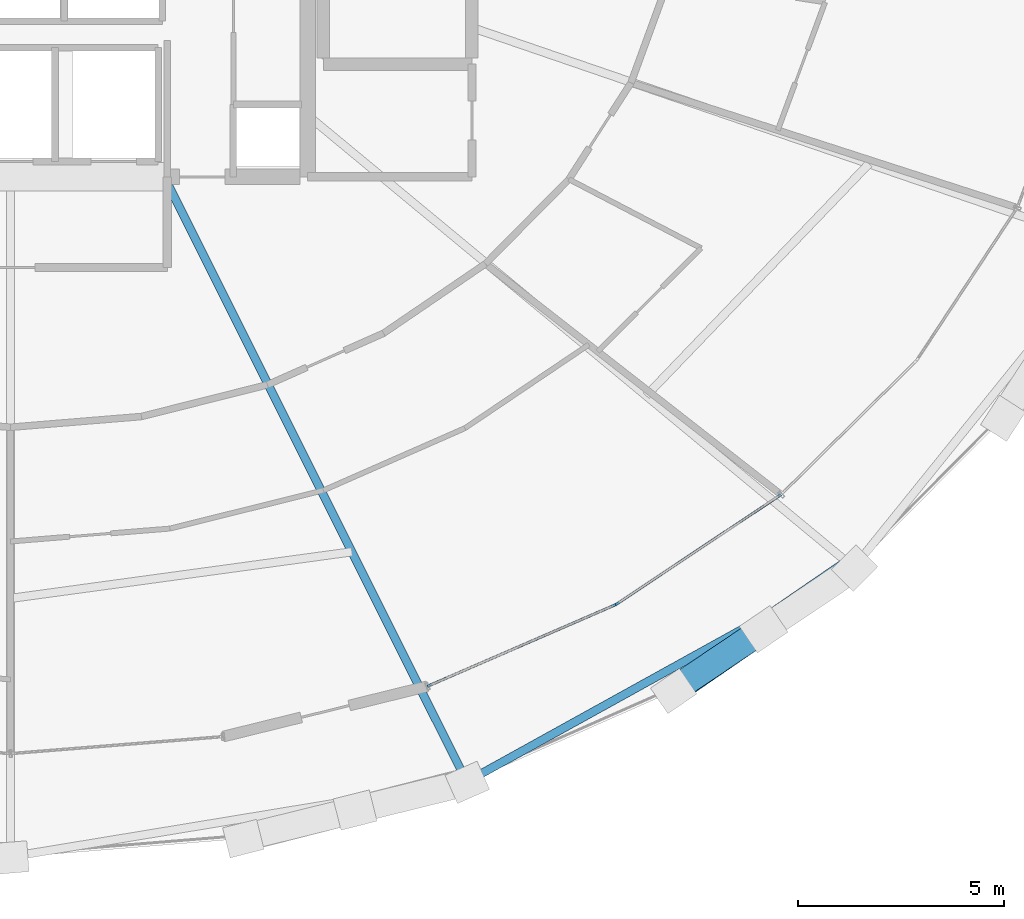
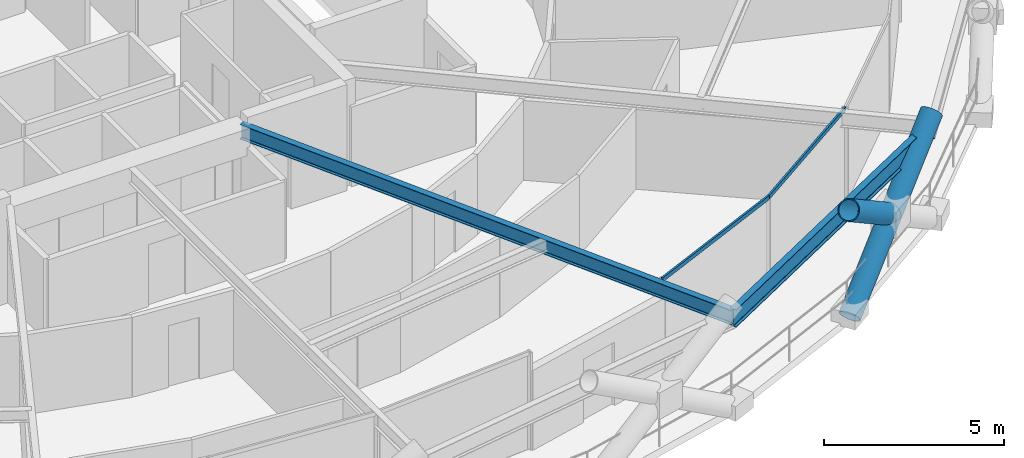
# One storey, part 6 of 21: 4 members, 2 beams, 1 element without a shape of its own.
"""IFC4 building model written with IfcOpenShell, lengths in metres."""

from ifc_helpers import new_model, si_unit, direction, frame, origin, origin_2d, place, context, subcontext, project, spatial, hollow_rectangle, hollow_circle, i_section, extrude, material, layer, layer_set, material_profile, profile_set, type_object, element, aggregate, save


model = new_model("IFC4")

# Units and contexts
model_context = context("Model", 3, precision=1e-05, world=origin(), true_north=direction((0.0, 1.0)))
body_context = subcontext(model_context, "Body", "Model", "MODEL_VIEW")
ifc_project = project(units=[si_unit("LENGTHUNIT", "METRE"), si_unit("AREAUNIT", "SQUARE_METRE"), si_unit("VOLUMEUNIT", "CUBIC_METRE"), si_unit("PLANEANGLEUNIT", "RADIAN"), si_unit("MASSUNIT", "GRAM", prefix="KILO")], contexts=[model_context])

# Site, building, storey
site_placement = place(None, origin())
site = spatial("IfcSite", under=ifc_project, at=site_placement, CompositionType="ELEMENT")
building_placement = place(site_placement, origin())
building = spatial("IfcBuilding", under=site, at=building_placement, Name="Veldorina Hangang Commons", CompositionType="ELEMENT")
storey_placement = place(building_placement, frame((0.0, 0.0, 91.60009765625)))
storey = spatial("IfcBuildingStorey", under=building, at=storey_placement, Name="L23", CompositionType="ELEMENT", Elevation=91.60009765625)

# Beams
ifc_material_1 = material(Name="Steel SM420-TMC", Category="steel")
ifc_material_profile_1 = material_profile(ifc_material_1, i_section(OverallWidth=0.199951171875, OverallDepth=0.5, WebThickness=0.010009765625, FlangeThickness=0.01611328125, FilletRadius=0.01611328125, at=origin_2d()), Name="H-500x200x10x16")
ifc_profile_set_1 = profile_set([ifc_material_profile_1], Name="Steel SM420-TMC")
beam_type_1 = type_object("IfcBeamType", Name="BM-FG500", PredefinedType="BEAM", material=ifc_profile_set_1)
beam_1_placement = place(storey_placement, frame((35.726806640625, 16.550048828125, 3.08984375), z_axis=(0.447368542257, -0.894349700843, 0.0), x_axis=(0.894349700843, 0.447368542257, 0.0)))
element("IfcBeam", 1, at=beam_1_placement, inside=storey, type_object=beam_type_1, Name="L23 radial floor girder 14", PredefinedType="BEAM", context=body_context, shape_type="SweptSolid", body=[
    extrude(i_section(OverallWidth=0.199951171875, OverallDepth=0.5, WebThickness=0.010009765625, FlangeThickness=0.01611328125, FilletRadius=0.01611328125, at=origin_2d()), origin(), (0.0, 0.0, 1.0), 16.385986328125),
])
ifc_material_profile_2 = material_profile(ifc_material_1, i_section(OverallWidth=0.199951171875, OverallDepth=0.60009765625, WebThickness=0.010986328125, FlangeThickness=0.01708984375, FilletRadius=0.01806640625, at=origin_2d()), Name="H-600x200x11x17")
ifc_profile_set_2 = profile_set([ifc_material_profile_2], Name="Steel SM420-TMC")
beam_type_2 = type_object("IfcBeamType", Name="BM-RB600", PredefinedType="BEAM", material=ifc_profile_set_2)
beam_2_placement = place(storey_placement, frame((43.057373046875, 1.895263671875, 3.039794921875), z_axis=(0.874998715475, 0.484125239909, 0.0), x_axis=(-0.484125239909, 0.874998715475, 0.0)))
element("IfcBeam", 2, at=beam_2_placement, inside=storey, type_object=beam_type_2, Name="L23 perimeter hoop ring beam 26", PredefinedType="BEAM", context=body_context, shape_type="SweptSolid", body=[
    extrude(i_section(OverallWidth=0.199951171875, OverallDepth=0.60009765625, WebThickness=0.010986328125, FlangeThickness=0.01708984375, FilletRadius=0.01806640625, at=origin_2d()), origin(), (0.0, 0.0, 1.0), 10.713134765625),
])

# Curtain wall, members
ifc_material_2 = material(Name="Glass Low-E Triple IGU", Category="glass")
ifc_layer = layer(ifc_material_2, 0.179931640625)
ifc_layer_set = layer_set([ifc_layer], Name="Glass Low-E Triple IGU")
curtain_wall_type = type_object("IfcCurtainWallType", Name="CW-SYS-Z1", PredefinedType="NOTDEFINED", material=ifc_layer_set)
curtain_wall_placement = place(storey_placement, origin())
curtain_wall = element("IfcCurtainWall", 3, at=curtain_wall_placement, inside=storey, type_object=curtain_wall_type, Name="L23 unitised curtain wall CW-L23-R2", PredefinedType="NOTDEFINED")
ifc_material_3 = material(Name="Aluminium Anodized AA6063-T6", Category="aluminium")
ifc_material_profile_3 = material_profile(ifc_material_3, hollow_rectangle(XDim=0.06005859375, YDim=0.139892578125, WallThickness=0.00341796875, at=origin_2d()), Name="ALU-RHS-140x60x3.5")
ifc_profile_set_3 = profile_set([ifc_material_profile_3], Name="Aluminium Anodized AA6063-T6")
member_type_1 = type_object("IfcMemberType", Name="CW-TRN-140", PredefinedType="USERDEFINED", material=ifc_profile_set_3)
member_1_placement = place(storey_placement, frame((42.103515625, 4.205810546875, 3.260009765625), z_axis=(0.917405183636, 0.397954430856, 0.0), x_axis=(-0.397954430856, 0.917405183636, 0.0)))
member_1 = element("IfcMember", 4, at=member_1_placement, type_object=member_type_1, Name="CW-L23-R2 facet 1 transom 1", ObjectType="TRANSOM", PredefinedType="USERDEFINED", context=body_context, shape_type="SweptSolid", body=[
    extrude(hollow_rectangle(XDim=0.06005859375, YDim=0.139892578125, WallThickness=0.00341796875, at=origin_2d()), origin(), (0.0, 0.0, 1.0), 4.975341796875),
])
member_2_placement = place(storey_placement, frame((46.66796875, 6.185791015625, 3.260009765625), z_axis=(0.832323687005, 0.5542898881, 0.0), x_axis=(-0.5542898881, 0.832323687005, 0.0)))
member_2 = element("IfcMember", 5, at=member_2_placement, type_object=member_type_1, Name="CW-L23-R2 facet 2 transom 1", ObjectType="TRANSOM", PredefinedType="USERDEFINED", context=body_context, shape_type="SweptSolid", body=[
    extrude(hollow_rectangle(XDim=0.06005859375, YDim=0.139892578125, WallThickness=0.00341796875, at=origin_2d()), origin(), (0.0, 0.0, 1.0), 4.806640625),
])
aggregate(curtain_wall, [member_1, member_2])

# Members
ifc_material_4 = material(Name="Steel SM460-TMC", Category="steel")
ifc_material_profile_4 = material_profile(ifc_material_4, hollow_circle(Radius=0.324951171875, WallThickness=0.031982421875, at=origin_2d()), Name="CHS-650x32")
ifc_profile_set_4 = profile_set([ifc_material_profile_4], Name="Steel SM460-TMC")
member_type_2 = type_object("IfcMemberType", Name="DG-CHS650", PredefinedType="BRACE", material=ifc_profile_set_4)
member_3_placement = place(storey_placement, frame((48.06787109375, 4.090576171875, 0.0), z_axis=(0.68148401311, 0.467933529441, 0.562687970283), x_axis=(-0.566046772927, 0.824373125993, 0.0)))
element("IfcMember", 6, at=member_3_placement, inside=storey, type_object=member_type_2, Name="L23 continuous perimeter diagrid brace 27", PredefinedType="BRACE", context=body_context, shape_type="SweptSolid", body=[
    extrude(hollow_circle(Radius=0.324951171875, WallThickness=0.031982421875, at=origin_2d()), origin(), (0.0, 0.0, 1.0), 6.397705078125),
])
member_4_placement = place(storey_placement, frame((50.2490234375, 5.588134765625, 1.80078125), z_axis=(-0.68658721261, -0.461662827129, 0.561663096106), x_axis=(0.557991026976, -0.829846982169, 0.0)))
element("IfcMember", 7, at=member_4_placement, inside=storey, type_object=member_type_2, Name="L23 split perimeter diagrid upper brace 28", PredefinedType="BRACE", context=body_context, shape_type="SweptSolid", body=[
    extrude(hollow_circle(Radius=0.324951171875, WallThickness=0.031982421875, at=origin_2d()), origin(), (0.0, 0.0, 1.0), 3.203125),
])

save(model, "model.ifc")
